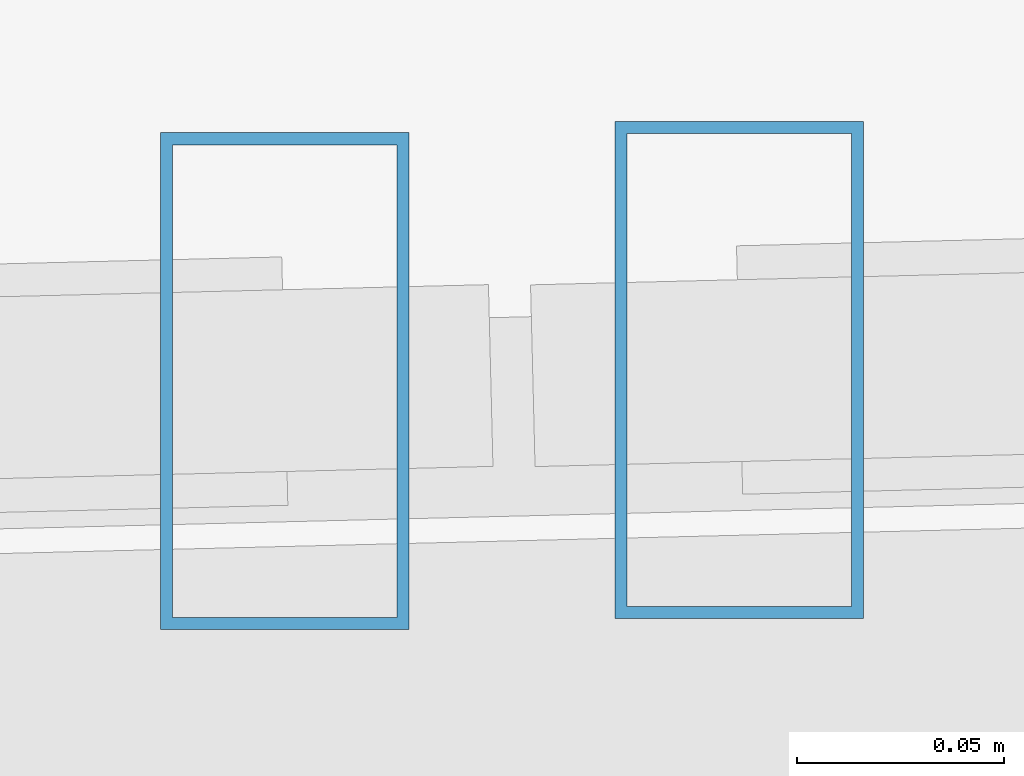
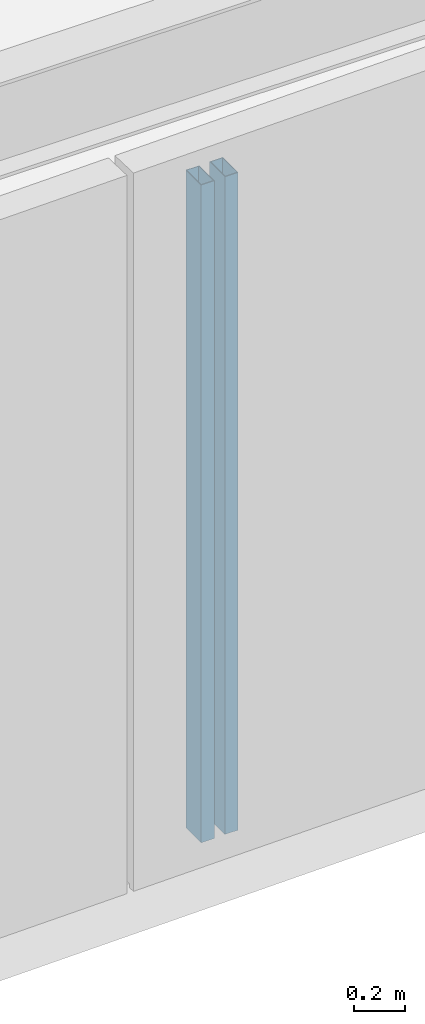
# One storey, part 15 of 44: 2 members, 2 elements without a shape of their own.
"""IFC4 building model written with IfcOpenShell, lengths in metres."""

import ifcopenshell
import ifcopenshell.guid

model = None  # the IFC model being written
_history = None  # IfcOwnerHistory: only IFC2X3 demands one
_inside = {}  # id of a spatial element -> (the spatial element, [elements in it])
_under = {}  # id of a project, library or spatial element -> (it, [spatial elements below it])
_declared = {}  # id of a project -> (the project, [libraries it declares])
_typed = {}  # id of a type object -> (the type object, [elements of that type])
_made_of = {}  # id of a material, layer set ... -> (it, [elements and type objects made of it])


def new_model(schema):
    """Start an empty IFC model of exactly this schema.

    Asked for "IFC4X3", IfcOpenShell would pick the latest addendum, in which some entities
    have other attributes; the version numbers below select the first issue.
    IFC2X3 requires an IfcOwnerHistory on every rooted entity: one is made here for all.
    """
    global model, _history
    if schema == "IFC4X3":
        model = ifcopenshell.file(schema_version=(4, 3, 0, 0))
    else:
        model = ifcopenshell.file(schema=schema)
    _inside.clear()
    _under.clear()
    _declared.clear()
    _typed.clear()
    _made_of.clear()
    _history = None
    if model.schema == "IFC2X3":
        org = make("IfcOrganization", Name="unknown")
        user = make(
            "IfcPersonAndOrganization",
            ThePerson=make("IfcPerson", FamilyName="unknown"),
            TheOrganization=org,
        )
        app = make(
            "IfcApplication",
            ApplicationDeveloper=org,
            Version="unknown",
            ApplicationFullName="unknown",
            ApplicationIdentifier="unknown",
        )
        _history = make(
            "IfcOwnerHistory",
            OwningUser=user,
            OwningApplication=app,
            ChangeAction="ADDED",
            CreationDate=0,
        )
    return model


def make(cls, **values):
    """One entity of the class cls with the attributes given. An attribute that is None is left unset."""
    return model.create_entity(
        cls, **{name: value for name, value in values.items() if value is not None}
    )


def rooted(cls, **values):
    """An entity with a GlobalId (a new one), such as an element, a storey or a relation."""
    return make(cls, GlobalId=ifcopenshell.guid.new(), OwnerHistory=_history, **values)


def si_unit(unit_type, name, prefix=None):
    """IfcSIUnit, for example si_unit("LENGTHUNIT", "METRE", prefix="MILLI")."""
    return make("IfcSIUnit", UnitType=unit_type, Prefix=prefix, Name=name)


def assignment(units):
    """IfcUnitAssignment: the units of a project."""
    return None if units is None else make("IfcUnitAssignment", Units=units)


def point(xyz):
    """IfcCartesianPoint."""
    return None if xyz is None else make("IfcCartesianPoint", Coordinates=xyz)


def direction(xyz):
    """IfcDirection."""
    return None if xyz is None else make("IfcDirection", DirectionRatios=xyz)


def frame(location, z_axis=None, x_axis=None):
    """IfcAxis2Placement3D, a coordinate frame: its origin and axes. An axis left out is left unset."""
    return make(
        "IfcAxis2Placement3D",
        Location=point(location),
        Axis=direction(z_axis),
        RefDirection=direction(x_axis),
    )


def frame_2d(location, x_axis=None):
    """IfcAxis2Placement2D, a coordinate frame in the plane: its origin and x axis."""
    return make(
        "IfcAxis2Placement2D", Location=point(location), RefDirection=direction(x_axis)
    )


def origin():
    """The frame at (0, 0, 0) with its axes left unset."""
    return frame((0.0, 0.0, 0.0))


def origin_2d():
    """The frame at (0, 0) in the plane with its x axis left unset."""
    return frame_2d((0.0, 0.0))


def place(relative_to, where):
    """IfcLocalPlacement: puts the frame where relative to a parent placement (None: the world)."""
    return make(
        "IfcLocalPlacement", PlacementRelTo=relative_to, RelativePlacement=where
    )


def context(
    kind, dimensions, precision=None, world=None, true_north=None, identifier=None
):
    """IfcGeometricRepresentationContext, for example the 3D "Model" context."""
    return make(
        "IfcGeometricRepresentationContext",
        ContextIdentifier=identifier,
        ContextType=kind,
        CoordinateSpaceDimension=dimensions,
        Precision=precision,
        WorldCoordinateSystem=world,
        TrueNorth=true_north,
    )


def subcontext(parent, identifier, kind, view, scale=None):
    """IfcGeometricRepresentationSubContext, for example "Body" below "Model"."""
    return make(
        "IfcGeometricRepresentationSubContext",
        ContextIdentifier=identifier,
        ContextType=kind,
        ParentContext=parent,
        TargetScale=scale,
        TargetView=view,
    )


def project(units=None, contexts=None):
    """IfcProject with its units and contexts."""
    return rooted(
        "IfcProject",
        Name="project",
        RepresentationContexts=contexts,
        UnitsInContext=assignment(units),
    )


def spatial(cls, under=None, at=None, **own):
    """A site, building, storey or space (cls), placed at a placement, below another one or the project."""
    s = rooted(cls, ObjectPlacement=at, **own)
    if under is not None:
        _under.setdefault(under.id(), (under, []))[1].append(s)
    return s


def profile(cls, at=None, kind="AREA", **sizes):
    """A parametric profile (cls). Its sizes go by their IFC names, for example OverallWidth=200.0."""
    return make(cls, ProfileType=kind, Position=at, **sizes)


def hollow_rectangle(**sizes):
    """IfcRectangleHollowProfileDef."""
    return profile("IfcRectangleHollowProfileDef", **sizes)


def extrude(swept, where, along, depth):
    """IfcExtrudedAreaSolid: the profile swept, set in the frame where, extruded along a direction by depth."""
    return make(
        "IfcExtrudedAreaSolid",
        SweptArea=swept,
        Position=where,
        ExtrudedDirection=direction(along),
        Depth=depth,
    )


def shape(context_of_items, identifier, shape_type, items):
    """IfcShapeRepresentation: the items that make up one representation, for example the "Body"."""
    return make(
        "IfcShapeRepresentation",
        ContextOfItems=context_of_items,
        RepresentationIdentifier=identifier,
        RepresentationType=shape_type,
        Items=items,
    )


def source(mapping_origin, context_of_items, identifier, shape_type, items):
    """IfcRepresentationMap: a shape defined once, which mapped items show again and again."""
    return make(
        "IfcRepresentationMap",
        MappingOrigin=mapping_origin,
        MappedRepresentation=shape(context_of_items, identifier, shape_type, items),
    )


def transform(
    local_origin,
    x_axis=None,
    y_axis=None,
    z_axis=None,
    scale=None,
    scale2=None,
    scale3=None,
    uniform=True,
):
    """IfcCartesianTransformationOperator3D, or its non-uniform kind. x_axis, y_axis, z_axis: its Axis1, 2, 3."""
    if uniform:
        return make(
            "IfcCartesianTransformationOperator3D",
            Axis1=direction(x_axis),
            Axis2=direction(y_axis),
            LocalOrigin=point(local_origin),
            Scale=scale,
            Axis3=direction(z_axis),
        )
    return make(
        "IfcCartesianTransformationOperator3DnonUniform",
        Axis1=direction(x_axis),
        Axis2=direction(y_axis),
        LocalOrigin=point(local_origin),
        Scale=scale,
        Axis3=direction(z_axis),
        Scale2=scale2,
        Scale3=scale3,
    )


def mapped(mapping_source, mapping_target):
    """IfcMappedItem: shows the shape of a source again, moved by a transform."""
    return make(
        "IfcMappedItem", MappingSource=mapping_source, MappingTarget=mapping_target
    )


def material(Name=None, Category=None):
    """IfcMaterial."""
    return make("IfcMaterial", Name=Name, Category=Category)


def material_profile(
    of_material, cross_section, Name=None, Category=None, Priority=None
):
    """IfcMaterialProfile: a cross section and its material."""
    return make(
        "IfcMaterialProfile",
        Name=Name,
        Material=of_material,
        Profile=cross_section,
        Priority=Priority,
        Category=Category,
    )


def profile_set(profiles, Name=None, composite=None):
    """IfcMaterialProfileSet."""
    return make(
        "IfcMaterialProfileSet",
        Name=Name,
        MaterialProfiles=profiles,
        CompositeProfile=composite,
    )


def made_of(thing, what):
    """Note that an element or type object is made of a material, layer set ...; save() writes the relation."""
    if what is not None:
        _made_of.setdefault(what.id(), (what, []))[1].append(thing)
    return thing


def type_object(cls, material=None, **own):
    """A type object (cls), such as IfcWallType, which elements share."""
    return made_of(rooted(cls, **own), material)


def type_shapes(of_type, sources):
    """Give a type object the sources (RepresentationMaps) that its elements show as mapped items."""
    of_type.RepresentationMaps = sources


def element(
    cls,
    number,
    at=None,
    inside=None,
    cuts=None,
    type_object=None,
    material=None,
    context=None,
    identifier="Body",
    shape_type=None,
    held_by="IfcProductDefinitionShape",
    body=None,
    shapes=None,
    **own,
):
    """One element of the class cls, such as IfcWall. Its Tag is "e" and its number.

    at: its placement. inside: the storey or other place that contains it. cuts: it is an
    opening in that element (IfcRelVoidsElement). A single representation is given by context,
    identifier, shape_type and body (its items); several are given by shapes. held_by: the class
    of the entity that holds the representations. save() writes the other relations.
    """
    e = rooted(cls, Tag="e%d" % number, ObjectPlacement=at, **own)
    if body is not None:
        shapes = [shape(context, identifier, shape_type, body)]
    if shapes is not None:
        e.Representation = make(held_by, Representations=shapes)
    if inside is not None:
        _inside.setdefault(inside.id(), (inside, []))[1].append(e)
    if cuts is not None:
        rooted(
            "IfcRelVoidsElement", RelatingBuildingElement=cuts, RelatedOpeningElement=e
        )
    if type_object is not None:
        _typed.setdefault(type_object.id(), (type_object, []))[1].append(e)
    return made_of(e, material)


def aggregate(whole, parts):
    """IfcRelAggregates: a whole, such as a stair, and the parts it consists of."""
    return rooted("IfcRelAggregates", RelatingObject=whole, RelatedObjects=parts)


def save(model, path):
    """Write the relations noted so far, then the file.

    IfcRelAggregates (storeys below a building ...), IfcRelContainedInSpatialStructure (elements
    in a storey), IfcRelDefinesByType, IfcRelAssociatesMaterial and IfcRelDeclares: one each for
    every whole, place, type object, material and project.
    """
    for whole, parts in _under.values():
        aggregate(whole, parts)
    for where, things in _inside.values():
        rooted(
            "IfcRelContainedInSpatialStructure",
            RelatedElements=things,
            RelatingStructure=where,
        )
    for kind, things in _typed.values():
        rooted("IfcRelDefinesByType", RelatedObjects=things, RelatingType=kind)
    for what, things in _made_of.values():
        rooted("IfcRelAssociatesMaterial", RelatedObjects=things, RelatingMaterial=what)
    for by, libraries in _declared.values():
        rooted("IfcRelDeclares", RelatingContext=by, RelatedDefinitions=libraries)
    model.write(path)


model = new_model("IFC4")

# Units and contexts
model_context = context("Model", 3, precision=1e-05, world=origin(), true_north=direction((0.0, 1.0)))
body_context = subcontext(model_context, "Body", "Model", "MODEL_VIEW")
ifc_project = project(units=[si_unit("LENGTHUNIT", "METRE"), si_unit("AREAUNIT", "SQUARE_METRE"), si_unit("VOLUMEUNIT", "CUBIC_METRE"), si_unit("PLANEANGLEUNIT", "RADIAN"), si_unit("MASSUNIT", "GRAM", prefix="KILO")], contexts=[model_context])

# Site, building, storey
site_placement = place(None, origin())
site = spatial("IfcSite", under=ifc_project, at=site_placement, CompositionType="ELEMENT")
building_placement = place(site_placement, origin())
building = spatial("IfcBuilding", under=site, at=building_placement, Name="Caelisora Broadcast Tower", CompositionType="ELEMENT")
storey_placement = place(building_placement, frame((0.0, 0.0, 296.60009765625)))
storey = spatial("IfcBuildingStorey", under=building, at=storey_placement, Name="L78", CompositionType="ELEMENT", Elevation=296.60009765625)

# Curtain wall, member
ifc_material_1 = material(Name="Unitised Aluminium Insulated Shadow-Box Spandrel Curtain Wall", Category="aluminium")
curtain_wall_type = type_object("IfcCurtainWallType", Name="CW-SP3", PredefinedType="NOTDEFINED", material=ifc_material_1)
curtain_wall_1_placement = place(storey_placement, origin())
curtain_wall_1 = element("IfcCurtainWall", 1, at=curtain_wall_1_placement, inside=storey, type_object=curtain_wall_type, Name="L78 curtain wall CW-SP3", PredefinedType="NOTDEFINED")
ifc_material_2 = material(Name="Aluminium 6063-T6 Anodised Terracotta Bronze", Category="aluminium")
ifc_material_profile = material_profile(ifc_material_2, hollow_rectangle(XDim=0.06005859375, YDim=0.1201171875, WallThickness=0.0029296875, at=origin_2d()), Name="Aluminium 6063-T6 Anodised Terracotta Bronze")
ifc_profile_set = profile_set([ifc_material_profile], Name="Aluminium 6063-T6 Anodised Terracotta Bronze")
member_type = type_object("IfcMemberType", Name="CWM-04", PredefinedType="MULLION", material=ifc_profile_set)
shared_shape = source(origin(), body_context, "Body", "SweptSolid", [
    extrude(hollow_rectangle(XDim=0.06005859375, YDim=0.1201171875, WallThickness=0.0029296875, at=origin_2d()), origin(), (0.0, 0.0, 1.0), 3.14990234375),
])
type_shapes(member_type, [shared_shape])
member_1_placement = place(storey_placement, frame((44.965576171875, 9.165283203125, 0.0), z_axis=(0.0, 0.0, 1.0), x_axis=(1.0, 0.0, 0.0)))
member_1 = element("IfcMember", 2, at=member_1_placement, type_object=member_type, Name="L78-CW-B05 mullion #3", PredefinedType="MULLION", context=body_context, shape_type="MappedRepresentation", body=[
    mapped(shared_shape, transform((0.0, 0.0, 0.0), scale=1.0)),
])
aggregate(curtain_wall_1, [member_1])

curtain_wall_2_placement = place(storey_placement, origin())
curtain_wall_2 = element("IfcCurtainWall", 3, at=curtain_wall_2_placement, inside=storey, type_object=curtain_wall_type, Name="L78 curtain wall CW-SP3", PredefinedType="NOTDEFINED")
member_2_placement = place(storey_placement, frame((44.855712890625, 9.16259765625, 0.0), z_axis=(0.0, 0.0, 1.0), x_axis=(1.0, 0.0, 0.0)))
member_2 = element("IfcMember", 4, at=member_2_placement, type_object=member_type, Name="L78-CW-B06 mullion #0", PredefinedType="MULLION", context=body_context, shape_type="MappedRepresentation", body=[
    mapped(shared_shape, transform((0.0, 0.0, 0.0), scale=1.0)),
])
aggregate(curtain_wall_2, [member_2])

save(model, "model.ifc")
